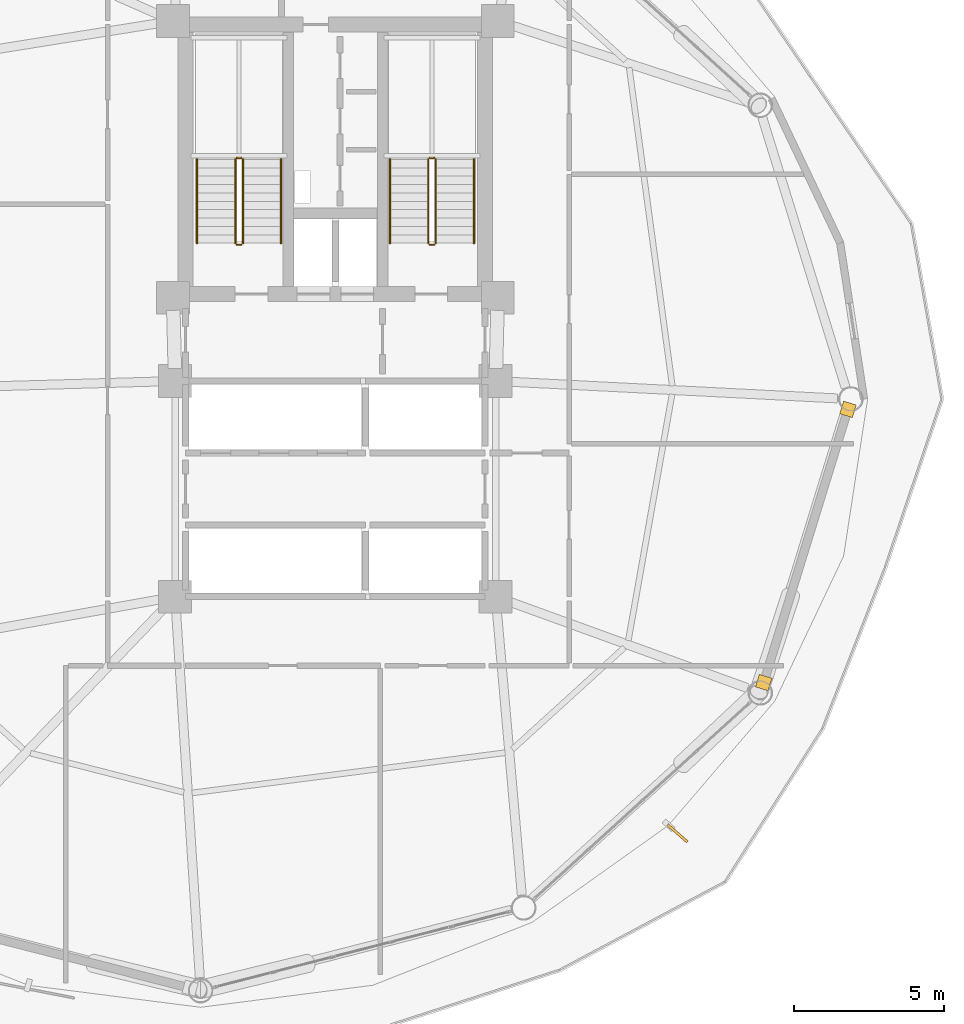
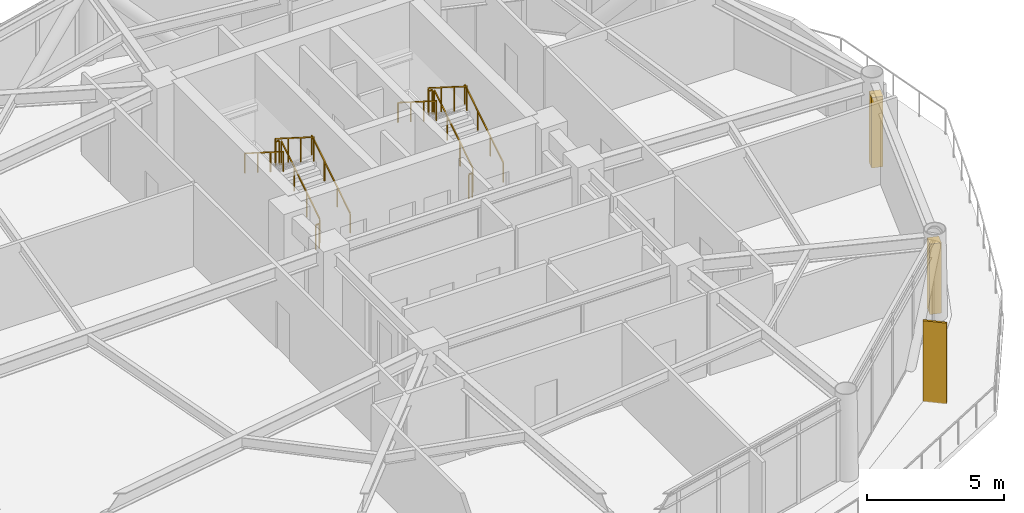
# One storey, part 25 of 26: 12 railings, 2 coverings, 1 shading device.
"""IFC4 building model written with IfcOpenShell, lengths in metres."""

import ifcopenshell
import ifcopenshell.guid

model = None  # the IFC model being written
_history = None  # IfcOwnerHistory: only IFC2X3 demands one
_inside = {}  # id of a spatial element -> (the spatial element, [elements in it])
_under = {}  # id of a project, library or spatial element -> (it, [spatial elements below it])
_declared = {}  # id of a project -> (the project, [libraries it declares])
_typed = {}  # id of a type object -> (the type object, [elements of that type])
_made_of = {}  # id of a material, layer set ... -> (it, [elements and type objects made of it])


def new_model(schema):
    """Start an empty IFC model of exactly this schema.

    Asked for "IFC4X3", IfcOpenShell would pick the latest addendum, in which some entities
    have other attributes; the version numbers below select the first issue.
    IFC2X3 requires an IfcOwnerHistory on every rooted entity: one is made here for all.
    """
    global model, _history
    if schema == "IFC4X3":
        model = ifcopenshell.file(schema_version=(4, 3, 0, 0))
    else:
        model = ifcopenshell.file(schema=schema)
    _inside.clear()
    _under.clear()
    _declared.clear()
    _typed.clear()
    _made_of.clear()
    _history = None
    if model.schema == "IFC2X3":
        org = make("IfcOrganization", Name="unknown")
        user = make(
            "IfcPersonAndOrganization",
            ThePerson=make("IfcPerson", FamilyName="unknown"),
            TheOrganization=org,
        )
        app = make(
            "IfcApplication",
            ApplicationDeveloper=org,
            Version="unknown",
            ApplicationFullName="unknown",
            ApplicationIdentifier="unknown",
        )
        _history = make(
            "IfcOwnerHistory",
            OwningUser=user,
            OwningApplication=app,
            ChangeAction="ADDED",
            CreationDate=0,
        )
    return model


def make(cls, **values):
    """One entity of the class cls with the attributes given. An attribute that is None is left unset."""
    return model.create_entity(
        cls, **{name: value for name, value in values.items() if value is not None}
    )


def rooted(cls, **values):
    """An entity with a GlobalId (a new one), such as an element, a storey or a relation."""
    return make(cls, GlobalId=ifcopenshell.guid.new(), OwnerHistory=_history, **values)


def si_unit(unit_type, name, prefix=None):
    """IfcSIUnit, for example si_unit("LENGTHUNIT", "METRE", prefix="MILLI")."""
    return make("IfcSIUnit", UnitType=unit_type, Prefix=prefix, Name=name)


def assignment(units):
    """IfcUnitAssignment: the units of a project."""
    return None if units is None else make("IfcUnitAssignment", Units=units)


def point(xyz):
    """IfcCartesianPoint."""
    return None if xyz is None else make("IfcCartesianPoint", Coordinates=xyz)


def direction(xyz):
    """IfcDirection."""
    return None if xyz is None else make("IfcDirection", DirectionRatios=xyz)


def frame(location, z_axis=None, x_axis=None):
    """IfcAxis2Placement3D, a coordinate frame: its origin and axes. An axis left out is left unset."""
    return make(
        "IfcAxis2Placement3D",
        Location=point(location),
        Axis=direction(z_axis),
        RefDirection=direction(x_axis),
    )


def frame_2d(location, x_axis=None):
    """IfcAxis2Placement2D, a coordinate frame in the plane: its origin and x axis."""
    return make(
        "IfcAxis2Placement2D", Location=point(location), RefDirection=direction(x_axis)
    )


def origin():
    """The frame at (0, 0, 0) with its axes left unset."""
    return frame((0.0, 0.0, 0.0))


def origin_2d():
    """The frame at (0, 0) in the plane with its x axis left unset."""
    return frame_2d((0.0, 0.0))


def place(relative_to, where):
    """IfcLocalPlacement: puts the frame where relative to a parent placement (None: the world)."""
    return make(
        "IfcLocalPlacement", PlacementRelTo=relative_to, RelativePlacement=where
    )


def context(
    kind, dimensions, precision=None, world=None, true_north=None, identifier=None
):
    """IfcGeometricRepresentationContext, for example the 3D "Model" context."""
    return make(
        "IfcGeometricRepresentationContext",
        ContextIdentifier=identifier,
        ContextType=kind,
        CoordinateSpaceDimension=dimensions,
        Precision=precision,
        WorldCoordinateSystem=world,
        TrueNorth=true_north,
    )


def subcontext(parent, identifier, kind, view, scale=None):
    """IfcGeometricRepresentationSubContext, for example "Body" below "Model"."""
    return make(
        "IfcGeometricRepresentationSubContext",
        ContextIdentifier=identifier,
        ContextType=kind,
        ParentContext=parent,
        TargetScale=scale,
        TargetView=view,
    )


def project(units=None, contexts=None):
    """IfcProject with its units and contexts."""
    return rooted(
        "IfcProject",
        Name="project",
        RepresentationContexts=contexts,
        UnitsInContext=assignment(units),
    )


def spatial(cls, under=None, at=None, **own):
    """A site, building, storey or space (cls), placed at a placement, below another one or the project."""
    s = rooted(cls, ObjectPlacement=at, **own)
    if under is not None:
        _under.setdefault(under.id(), (under, []))[1].append(s)
    return s


def profile(cls, at=None, kind="AREA", **sizes):
    """A parametric profile (cls). Its sizes go by their IFC names, for example OverallWidth=200.0."""
    return make(cls, ProfileType=kind, Position=at, **sizes)


def rectangle(**sizes):
    """IfcRectangleProfileDef."""
    return profile("IfcRectangleProfileDef", **sizes)


def extrude(swept, where, along, depth):
    """IfcExtrudedAreaSolid: the profile swept, set in the frame where, extruded along a direction by depth."""
    return make(
        "IfcExtrudedAreaSolid",
        SweptArea=swept,
        Position=where,
        ExtrudedDirection=direction(along),
        Depth=depth,
    )


def shape(context_of_items, identifier, shape_type, items):
    """IfcShapeRepresentation: the items that make up one representation, for example the "Body"."""
    return make(
        "IfcShapeRepresentation",
        ContextOfItems=context_of_items,
        RepresentationIdentifier=identifier,
        RepresentationType=shape_type,
        Items=items,
    )


def source(mapping_origin, context_of_items, identifier, shape_type, items):
    """IfcRepresentationMap: a shape defined once, which mapped items show again and again."""
    return make(
        "IfcRepresentationMap",
        MappingOrigin=mapping_origin,
        MappedRepresentation=shape(context_of_items, identifier, shape_type, items),
    )


def transform(
    local_origin,
    x_axis=None,
    y_axis=None,
    z_axis=None,
    scale=None,
    scale2=None,
    scale3=None,
    uniform=True,
):
    """IfcCartesianTransformationOperator3D, or its non-uniform kind. x_axis, y_axis, z_axis: its Axis1, 2, 3."""
    if uniform:
        return make(
            "IfcCartesianTransformationOperator3D",
            Axis1=direction(x_axis),
            Axis2=direction(y_axis),
            LocalOrigin=point(local_origin),
            Scale=scale,
            Axis3=direction(z_axis),
        )
    return make(
        "IfcCartesianTransformationOperator3DnonUniform",
        Axis1=direction(x_axis),
        Axis2=direction(y_axis),
        LocalOrigin=point(local_origin),
        Scale=scale,
        Axis3=direction(z_axis),
        Scale2=scale2,
        Scale3=scale3,
    )


def mapped(mapping_source, mapping_target):
    """IfcMappedItem: shows the shape of a source again, moved by a transform."""
    return make(
        "IfcMappedItem", MappingSource=mapping_source, MappingTarget=mapping_target
    )


def material(Name=None, Category=None):
    """IfcMaterial."""
    return make("IfcMaterial", Name=Name, Category=Category)


def layer(
    of_material, thickness, ventilated=None, Name=None, Category=None, Priority=None
):
    """IfcMaterialLayer: one layer of a wall or slab, of a material (None: an air gap)."""
    return make(
        "IfcMaterialLayer",
        Material=of_material,
        LayerThickness=thickness,
        IsVentilated=ventilated,
        Name=Name,
        Category=Category,
        Priority=Priority,
    )


def layer_set(layers, Name=None):
    """IfcMaterialLayerSet."""
    return make("IfcMaterialLayerSet", MaterialLayers=layers, LayerSetName=Name)


def made_of(thing, what):
    """Note that an element or type object is made of a material, layer set ...; save() writes the relation."""
    if what is not None:
        _made_of.setdefault(what.id(), (what, []))[1].append(thing)
    return thing


def type_object(cls, material=None, **own):
    """A type object (cls), such as IfcWallType, which elements share."""
    return made_of(rooted(cls, **own), material)


def type_shapes(of_type, sources):
    """Give a type object the sources (RepresentationMaps) that its elements show as mapped items."""
    of_type.RepresentationMaps = sources


def element(
    cls,
    number,
    at=None,
    inside=None,
    cuts=None,
    type_object=None,
    material=None,
    context=None,
    identifier="Body",
    shape_type=None,
    held_by="IfcProductDefinitionShape",
    body=None,
    shapes=None,
    **own,
):
    """One element of the class cls, such as IfcWall. Its Tag is "e" and its number.

    at: its placement. inside: the storey or other place that contains it. cuts: it is an
    opening in that element (IfcRelVoidsElement). A single representation is given by context,
    identifier, shape_type and body (its items); several are given by shapes. held_by: the class
    of the entity that holds the representations. save() writes the other relations.
    """
    e = rooted(cls, Tag="e%d" % number, ObjectPlacement=at, **own)
    if body is not None:
        shapes = [shape(context, identifier, shape_type, body)]
    if shapes is not None:
        e.Representation = make(held_by, Representations=shapes)
    if inside is not None:
        _inside.setdefault(inside.id(), (inside, []))[1].append(e)
    if cuts is not None:
        rooted(
            "IfcRelVoidsElement", RelatingBuildingElement=cuts, RelatedOpeningElement=e
        )
    if type_object is not None:
        _typed.setdefault(type_object.id(), (type_object, []))[1].append(e)
    return made_of(e, material)


def aggregate(whole, parts):
    """IfcRelAggregates: a whole, such as a stair, and the parts it consists of."""
    return rooted("IfcRelAggregates", RelatingObject=whole, RelatedObjects=parts)


def save(model, path):
    """Write the relations noted so far, then the file.

    IfcRelAggregates (storeys below a building ...), IfcRelContainedInSpatialStructure (elements
    in a storey), IfcRelDefinesByType, IfcRelAssociatesMaterial and IfcRelDeclares: one each for
    every whole, place, type object, material and project.
    """
    for whole, parts in _under.values():
        aggregate(whole, parts)
    for where, things in _inside.values():
        rooted(
            "IfcRelContainedInSpatialStructure",
            RelatedElements=things,
            RelatingStructure=where,
        )
    for kind, things in _typed.values():
        rooted("IfcRelDefinesByType", RelatedObjects=things, RelatingType=kind)
    for what, things in _made_of.values():
        rooted("IfcRelAssociatesMaterial", RelatedObjects=things, RelatingMaterial=what)
    for by, libraries in _declared.values():
        rooted("IfcRelDeclares", RelatingContext=by, RelatedDefinitions=libraries)
    model.write(path)


model = new_model("IFC4")

# Units and contexts
model_context = context("Model", 3, precision=1e-05, world=origin(), true_north=direction((0.0, 1.0)))
body_context = subcontext(model_context, "Body", "Model", "MODEL_VIEW")
ifc_project = project(units=[si_unit("LENGTHUNIT", "METRE"), si_unit("AREAUNIT", "SQUARE_METRE"), si_unit("VOLUMEUNIT", "CUBIC_METRE"), si_unit("PLANEANGLEUNIT", "RADIAN"), si_unit("MASSUNIT", "GRAM", prefix="KILO")], contexts=[model_context])

# Site, building, storey
site_placement = place(None, origin())
site = spatial("IfcSite", under=ifc_project, at=site_placement, CompositionType="ELEMENT")
building_placement = place(site_placement, origin())
building = spatial("IfcBuilding", under=site, at=building_placement, Name="Varnakorn Sky Granary", CompositionType="ELEMENT")
storey_placement = place(building_placement, frame((0.0, 0.0, 95.39990234375)))
storey = spatial("IfcBuildingStorey", under=building, at=storey_placement, Name="L23", CompositionType="ELEMENT", Elevation=95.39990234375)

# Railings
ifc_material_1 = material(Name="Brushed Stainless Steel 316", Category="steel")
railing_type_1 = type_object("IfcRailingType", Name="RL-STAIR-1100", PredefinedType="GUARDRAIL", material=ifc_material_1)
railing_1_placement = place(storey_placement, frame((-0.090087890625, 5.199951171875, 0.177490234375)))
element("IfcRailing", 1, at=railing_1_placement, inside=storey, type_object=railing_type_1, Name="L23 ST-1 stair guard 1", PredefinedType="GUARDRAIL", context=body_context, shape_type="SweptSolid", body=[
    extrude(rectangle(XDim=0.048095703125, YDim=0.048095703125, at=origin_2d()), frame((0.0, 0.0, 1.076171875), z_axis=(0.0, 0.844908973607, 0.534910110503), x_axis=(-1.0, 0.0, 0.0)), (0.0, 0.0, 1.0), 3.31396484375),
    extrude(rectangle(XDim=0.0419921875, YDim=0.0419921875, at=origin_2d()), origin(), (0.0, 0.0, 1.0), 1.048095703125),
    extrude(rectangle(XDim=0.0419921875, YDim=0.0419921875, at=origin_2d()), frame((0.0, 0.933349609375, 0.5908203125)), (0.0, 0.0, 1.0), 1.048095703125),
    extrude(rectangle(XDim=0.0419921875, YDim=0.0419921875, at=origin_2d()), frame((0.0, 1.86669921875, 1.181884765625)), (0.0, 0.0, 1.0), 1.048095703125),
    extrude(rectangle(XDim=0.0419921875, YDim=0.0419921875, at=origin_2d()), frame((0.0, 2.800048828125, 1.772705078125)), (0.0, 0.0, 1.0), 1.048095703125),
])
railing_2_placement = place(storey_placement, frame((-0.139892578125, 8.050048828125, 1.9501953125)))
element("IfcRailing", 2, at=railing_2_placement, inside=storey, type_object=railing_type_1, Name="L23 ST-1 stair guard 2", PredefinedType="GUARDRAIL", context=body_context, shape_type="SweptSolid", body=[
    extrude(rectangle(XDim=0.048095703125, YDim=0.048095703125, at=origin_2d()), frame((0.0, 0.0, 1.076171875), z_axis=(-1.0, 0.0, 0.0), x_axis=(0.0, -1.0, 0.0)), (0.0, 0.0, 1.0), 0.150146484375),
    extrude(rectangle(XDim=0.0419921875, YDim=0.0419921875, at=origin_2d()), origin(), (0.0, 0.0, 1.0), 1.048095703125),
    extrude(rectangle(XDim=0.0419921875, YDim=0.0419921875, at=origin_2d()), frame((-0.150146484375, 0.0, 0.0)), (0.0, 0.0, 1.0), 1.048095703125),
])
railing_3_placement = place(storey_placement, frame((-0.340087890625, 8.0, 2.12744140625)))
element("IfcRailing", 3, at=railing_3_placement, inside=storey, type_object=railing_type_1, Name="L23 ST-1 stair guard 3", PredefinedType="GUARDRAIL", context=body_context, shape_type="SweptSolid", body=[
    extrude(rectangle(XDim=0.048095703125, YDim=0.048095703125, at=origin_2d()), frame((0.0, 0.0, 1.076171875), z_axis=(0.0, -0.844908973607, 0.534910110503), x_axis=(1.0, 0.0, 0.0)), (0.0, 0.0, 1.0), 3.31396484375),
    extrude(rectangle(XDim=0.0419921875, YDim=0.0419921875, at=origin_2d()), origin(), (0.0, 0.0, 1.0), 1.048095703125),
    extrude(rectangle(XDim=0.0419921875, YDim=0.0419921875, at=origin_2d()), frame((0.0, -0.933349609375, 0.5908203125)), (0.0, 0.0, 1.0), 1.048095703125),
    extrude(rectangle(XDim=0.0419921875, YDim=0.0419921875, at=origin_2d()), frame((0.0, -1.86669921875, 1.181884765625)), (0.0, 0.0, 1.0), 1.048095703125),
    extrude(rectangle(XDim=0.0419921875, YDim=0.0419921875, at=origin_2d()), frame((0.0, -2.800048828125, 1.772705078125)), (0.0, 0.0, 1.0), 1.048095703125),
])
railing_4_placement = place(storey_placement, frame((-0.139892578125, 5.14990234375, 0.0)))
element("IfcRailing", 4, at=railing_4_placement, inside=storey, type_object=railing_type_1, Name="L23 ST-1 stair guard 4", PredefinedType="GUARDRAIL", context=body_context, shape_type="SweptSolid", body=[
    extrude(rectangle(XDim=0.048095703125, YDim=0.048095703125, at=origin_2d()), frame((0.0, 0.0, 1.076171875), z_axis=(-1.0, 0.0, 0.0), x_axis=(0.0, -1.0, 0.0)), (0.0, 0.0, 1.0), 0.150146484375),
    extrude(rectangle(XDim=0.0419921875, YDim=0.0419921875, at=origin_2d()), origin(), (0.0, 0.0, 1.0), 1.048095703125),
    extrude(rectangle(XDim=0.0419921875, YDim=0.0419921875, at=origin_2d()), frame((-0.150146484375, 0.0, 0.0)), (0.0, 0.0, 1.0), 1.048095703125),
])
railing_5_placement = place(storey_placement, frame((6.35009765625, 5.199951171875, 0.177490234375)))
element("IfcRailing", 5, at=railing_5_placement, inside=storey, type_object=railing_type_1, Name="L23 ST-2 stair guard 1", PredefinedType="GUARDRAIL", context=body_context, shape_type="SweptSolid", body=[
    extrude(rectangle(XDim=0.048095703125, YDim=0.048095703125, at=origin_2d()), frame((0.0, 0.0, 1.076171875), z_axis=(0.0, 0.844908973607, 0.534910110503), x_axis=(-1.0, 0.0, 0.0)), (0.0, 0.0, 1.0), 3.31396484375),
    extrude(rectangle(XDim=0.0419921875, YDim=0.0419921875, at=origin_2d()), origin(), (0.0, 0.0, 1.0), 1.048095703125),
    extrude(rectangle(XDim=0.0419921875, YDim=0.0419921875, at=origin_2d()), frame((0.0, 0.933349609375, 0.5908203125)), (0.0, 0.0, 1.0), 1.048095703125),
    extrude(rectangle(XDim=0.0419921875, YDim=0.0419921875, at=origin_2d()), frame((0.0, 1.86669921875, 1.181884765625)), (0.0, 0.0, 1.0), 1.048095703125),
    extrude(rectangle(XDim=0.0419921875, YDim=0.0419921875, at=origin_2d()), frame((0.0, 2.800048828125, 1.772705078125)), (0.0, 0.0, 1.0), 1.048095703125),
])
railing_6_placement = place(storey_placement, frame((6.300048828125, 8.050048828125, 1.9501953125)))
element("IfcRailing", 6, at=railing_6_placement, inside=storey, type_object=railing_type_1, Name="L23 ST-2 stair guard 2", PredefinedType="GUARDRAIL", context=body_context, shape_type="SweptSolid", body=[
    extrude(rectangle(XDim=0.048095703125, YDim=0.048095703125, at=origin_2d()), frame((0.0, 0.0, 1.076171875), z_axis=(-1.0, 0.0, 0.0), x_axis=(0.0, -1.0, 0.0)), (0.0, 0.0, 1.0), 0.150146484375),
    extrude(rectangle(XDim=0.0419921875, YDim=0.0419921875, at=origin_2d()), origin(), (0.0, 0.0, 1.0), 1.048095703125),
    extrude(rectangle(XDim=0.0419921875, YDim=0.0419921875, at=origin_2d()), frame((-0.150146484375, 0.0, 0.0)), (0.0, 0.0, 1.0), 1.048095703125),
])
railing_7_placement = place(storey_placement, frame((6.10009765625, 8.0, 2.12744140625)))
element("IfcRailing", 7, at=railing_7_placement, inside=storey, type_object=railing_type_1, Name="L23 ST-2 stair guard 3", PredefinedType="GUARDRAIL", context=body_context, shape_type="SweptSolid", body=[
    extrude(rectangle(XDim=0.048095703125, YDim=0.048095703125, at=origin_2d()), frame((0.0, 0.0, 1.076171875), z_axis=(0.0, -0.844908973607, 0.534910110503), x_axis=(1.0, 0.0, 0.0)), (0.0, 0.0, 1.0), 3.31396484375),
    extrude(rectangle(XDim=0.0419921875, YDim=0.0419921875, at=origin_2d()), origin(), (0.0, 0.0, 1.0), 1.048095703125),
    extrude(rectangle(XDim=0.0419921875, YDim=0.0419921875, at=origin_2d()), frame((0.0, -0.933349609375, 0.5908203125)), (0.0, 0.0, 1.0), 1.048095703125),
    extrude(rectangle(XDim=0.0419921875, YDim=0.0419921875, at=origin_2d()), frame((0.0, -1.86669921875, 1.181884765625)), (0.0, 0.0, 1.0), 1.048095703125),
    extrude(rectangle(XDim=0.0419921875, YDim=0.0419921875, at=origin_2d()), frame((0.0, -2.800048828125, 1.772705078125)), (0.0, 0.0, 1.0), 1.048095703125),
])
railing_8_placement = place(storey_placement, frame((6.300048828125, 5.14990234375, 0.0)))
element("IfcRailing", 8, at=railing_8_placement, inside=storey, type_object=railing_type_1, Name="L23 ST-2 stair guard 4", PredefinedType="GUARDRAIL", context=body_context, shape_type="SweptSolid", body=[
    extrude(rectangle(XDim=0.048095703125, YDim=0.048095703125, at=origin_2d()), frame((0.0, 0.0, 1.076171875), z_axis=(-1.0, 0.0, 0.0), x_axis=(0.0, -1.0, 0.0)), (0.0, 0.0, 1.0), 0.150146484375),
    extrude(rectangle(XDim=0.0419921875, YDim=0.0419921875, at=origin_2d()), origin(), (0.0, 0.0, 1.0), 1.048095703125),
    extrude(rectangle(XDim=0.0419921875, YDim=0.0419921875, at=origin_2d()), frame((-0.150146484375, 0.0, 0.0)), (0.0, 0.0, 1.0), 1.048095703125),
])
railing_type_2 = type_object("IfcRailingType", Name="RL-STAIR-920", PredefinedType="HANDRAIL", material=ifc_material_1)
railing_9_placement = place(storey_placement, frame((1.18994140625, 5.199951171875, 0.177490234375)))
element("IfcRailing", 9, at=railing_9_placement, inside=storey, type_object=railing_type_2, Name="L23 ST-1 stair handrail 1", PredefinedType="HANDRAIL", context=body_context, shape_type="SweptSolid", body=[
    extrude(rectangle(XDim=0.048095703125, YDim=0.048095703125, at=origin_2d()), frame((0.0, 0.0, 0.8759765625), z_axis=(0.0, 0.844908973607, 0.534910110503), x_axis=(-1.0, 0.0, 0.0)), (0.0, 0.0, 1.0), 3.31396484375),
    extrude(rectangle(XDim=0.0419921875, YDim=0.0419921875, at=origin_2d()), origin(), (0.0, 0.0, 1.0), 0.847900390625),
    extrude(rectangle(XDim=0.0419921875, YDim=0.0419921875, at=origin_2d()), frame((0.0, 0.933349609375, 0.5908203125)), (0.0, 0.0, 1.0), 0.847900390625),
    extrude(rectangle(XDim=0.0419921875, YDim=0.0419921875, at=origin_2d()), frame((0.0, 1.86669921875, 1.181884765625)), (0.0, 0.0, 1.0), 0.847900390625),
    extrude(rectangle(XDim=0.0419921875, YDim=0.0419921875, at=origin_2d()), frame((0.0, 2.800048828125, 1.772705078125)), (0.0, 0.0, 1.0), 0.847900390625),
])
railing_10_placement = place(storey_placement, frame((-1.6201171875, 8.0, 2.12744140625)))
element("IfcRailing", 10, at=railing_10_placement, inside=storey, type_object=railing_type_2, Name="L23 ST-1 stair handrail 2", PredefinedType="HANDRAIL", context=body_context, shape_type="SweptSolid", body=[
    extrude(rectangle(XDim=0.048095703125, YDim=0.048095703125, at=origin_2d()), frame((0.0, 0.0, 0.8759765625), z_axis=(0.0, -0.844908973607, 0.534910110503), x_axis=(1.0, 0.0, 0.0)), (0.0, 0.0, 1.0), 3.31396484375),
    extrude(rectangle(XDim=0.0419921875, YDim=0.0419921875, at=origin_2d()), origin(), (0.0, 0.0, 1.0), 0.847900390625),
    extrude(rectangle(XDim=0.0419921875, YDim=0.0419921875, at=origin_2d()), frame((0.0, -0.933349609375, 0.5908203125)), (0.0, 0.0, 1.0), 0.847900390625),
    extrude(rectangle(XDim=0.0419921875, YDim=0.0419921875, at=origin_2d()), frame((0.0, -1.86669921875, 1.181884765625)), (0.0, 0.0, 1.0), 0.847900390625),
    extrude(rectangle(XDim=0.0419921875, YDim=0.0419921875, at=origin_2d()), frame((0.0, -2.800048828125, 1.772705078125)), (0.0, 0.0, 1.0), 0.847900390625),
])
railing_11_placement = place(storey_placement, frame((7.6298828125, 5.199951171875, 0.177490234375)))
element("IfcRailing", 11, at=railing_11_placement, inside=storey, type_object=railing_type_2, Name="L23 ST-2 stair handrail 1", PredefinedType="HANDRAIL", context=body_context, shape_type="SweptSolid", body=[
    extrude(rectangle(XDim=0.048095703125, YDim=0.048095703125, at=origin_2d()), frame((0.0, 0.0, 0.8759765625), z_axis=(0.0, 0.844908973607, 0.534910110503), x_axis=(-1.0, 0.0, 0.0)), (0.0, 0.0, 1.0), 3.31396484375),
    extrude(rectangle(XDim=0.0419921875, YDim=0.0419921875, at=origin_2d()), origin(), (0.0, 0.0, 1.0), 0.847900390625),
    extrude(rectangle(XDim=0.0419921875, YDim=0.0419921875, at=origin_2d()), frame((0.0, 0.933349609375, 0.5908203125)), (0.0, 0.0, 1.0), 0.847900390625),
    extrude(rectangle(XDim=0.0419921875, YDim=0.0419921875, at=origin_2d()), frame((0.0, 1.86669921875, 1.181884765625)), (0.0, 0.0, 1.0), 0.847900390625),
    extrude(rectangle(XDim=0.0419921875, YDim=0.0419921875, at=origin_2d()), frame((0.0, 2.800048828125, 1.772705078125)), (0.0, 0.0, 1.0), 0.847900390625),
])
railing_12_placement = place(storey_placement, frame((4.820068359375, 8.0, 2.12744140625)))
element("IfcRailing", 12, at=railing_12_placement, inside=storey, type_object=railing_type_2, Name="L23 ST-2 stair handrail 2", PredefinedType="HANDRAIL", context=body_context, shape_type="SweptSolid", body=[
    extrude(rectangle(XDim=0.048095703125, YDim=0.048095703125, at=origin_2d()), frame((0.0, 0.0, 0.8759765625), z_axis=(0.0, -0.844908973607, 0.534910110503), x_axis=(1.0, 0.0, 0.0)), (0.0, 0.0, 1.0), 3.31396484375),
    extrude(rectangle(XDim=0.0419921875, YDim=0.0419921875, at=origin_2d()), origin(), (0.0, 0.0, 1.0), 0.847900390625),
    extrude(rectangle(XDim=0.0419921875, YDim=0.0419921875, at=origin_2d()), frame((0.0, -0.933349609375, 0.5908203125)), (0.0, 0.0, 1.0), 0.847900390625),
    extrude(rectangle(XDim=0.0419921875, YDim=0.0419921875, at=origin_2d()), frame((0.0, -1.86669921875, 1.181884765625)), (0.0, 0.0, 1.0), 0.847900390625),
    extrude(rectangle(XDim=0.0419921875, YDim=0.0419921875, at=origin_2d()), frame((0.0, -2.800048828125, 1.772705078125)), (0.0, 0.0, 1.0), 0.847900390625),
])

# Shading device
ifc_material_2 = material(Name="Anodised Bronze Aluminium Alloy 6063-T6", Category="aluminium")
shading_device_type = type_object("IfcShadingDeviceType", Name="SH-FIN-01", PredefinedType="USERDEFINED", material=ifc_material_2)
shared_shape_1 = source(origin(), body_context, "Body", "SweptSolid", [
    extrude(rectangle(XDim=0.0849609375, YDim=0.8798828125, at=origin_2d()), origin(), (0.0, 0.0, 1.0), 3.60009765625),
])
type_shapes(shading_device_type, [shared_shape_1])
shading_device_placement = place(storey_placement, frame((14.41748046875, -14.495849609375, -0.0400390625), z_axis=(0.0, 0.0, 1.0), x_axis=(0.653832338293, 0.756639460643, 0.0)))
element("IfcShadingDevice", 13, at=shading_device_placement, inside=storey, type_object=shading_device_type, Name="Bronze Solar-Tracking Vertical Blade FIN L23-11", ObjectType="FIN", PredefinedType="USERDEFINED", context=body_context, shape_type="MappedRepresentation", body=[
    mapped(shared_shape_1, transform((0.0, 0.0, 0.0), x_axis=(1.0, 0.0, 0.0), y_axis=(0.0, 1.0, 0.0), z_axis=(0.0, 0.0, 1.0), scale=1.0)),
])

# Coverings
ifc_layer = layer(ifc_material_2, 0.050048828125, Name="Anodised Bronze Aluminium Alloy 6063-T6")
ifc_layer_set = layer_set([ifc_layer], Name="Anodised Bronze Aluminium Alloy 6063-T6")
covering_type = type_object("IfcCoveringType", Name="CV-CLAD-50", PredefinedType="CLADDING", material=ifc_layer_set)
shared_shape_2 = source(origin(), body_context, "Body", "SweptSolid", [
    extrude(rectangle(XDim=0.43994140625, YDim=0.43994140625, at=origin_2d()), origin(), (0.0, 0.0, 1.0), 3.1298828125),
])
type_shapes(covering_type, [shared_shape_2])
for number, where, z_axis, x_axis, name in (
    (14, (20.1103515625, -0.345458984375, -0.019775390625), (0.0, 0.0, 1.0), (-0.294874299918, -0.955536052301, 0.0), "Bronze Corner Pilaster Closure L23-P12-A"),
    (15, (17.297119140625, -9.464599609375, -0.019775390625), (0.0, 0.0, 1.0), (-0.294874299918, -0.955536052301, 0.0), "Bronze Corner Pilaster Closure L23-P12-B"),
):
    element("IfcCovering", number, at=place(storey_placement, frame(where, z_axis=z_axis, x_axis=x_axis)), inside=storey, type_object=covering_type, Name=name, PredefinedType="CLADDING", context=body_context, shape_type="MappedRepresentation", body=[
        mapped(shared_shape_2, transform((0.0, 0.0, 0.0), x_axis=(1.0, 0.0, 0.0), y_axis=(0.0, 1.0, 0.0), z_axis=(0.0, 0.0, 1.0), scale=1.0)),
    ])

save(model, "model.ifc")
